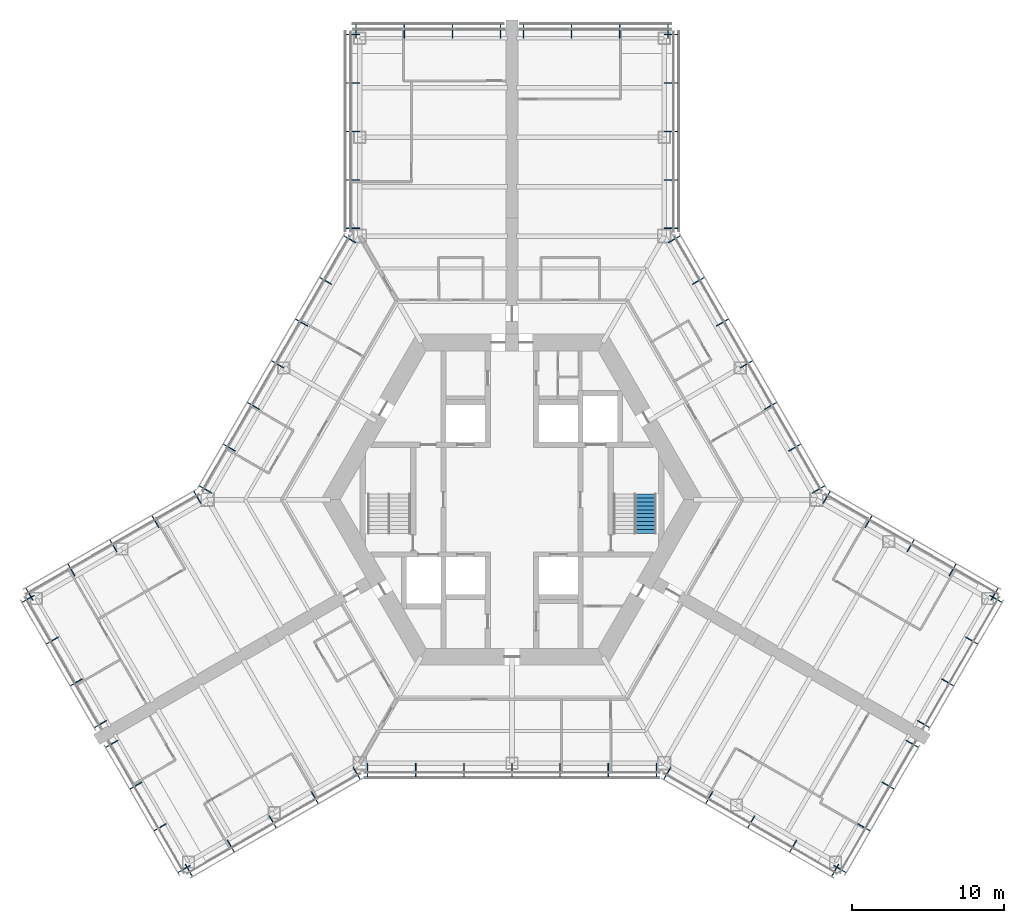
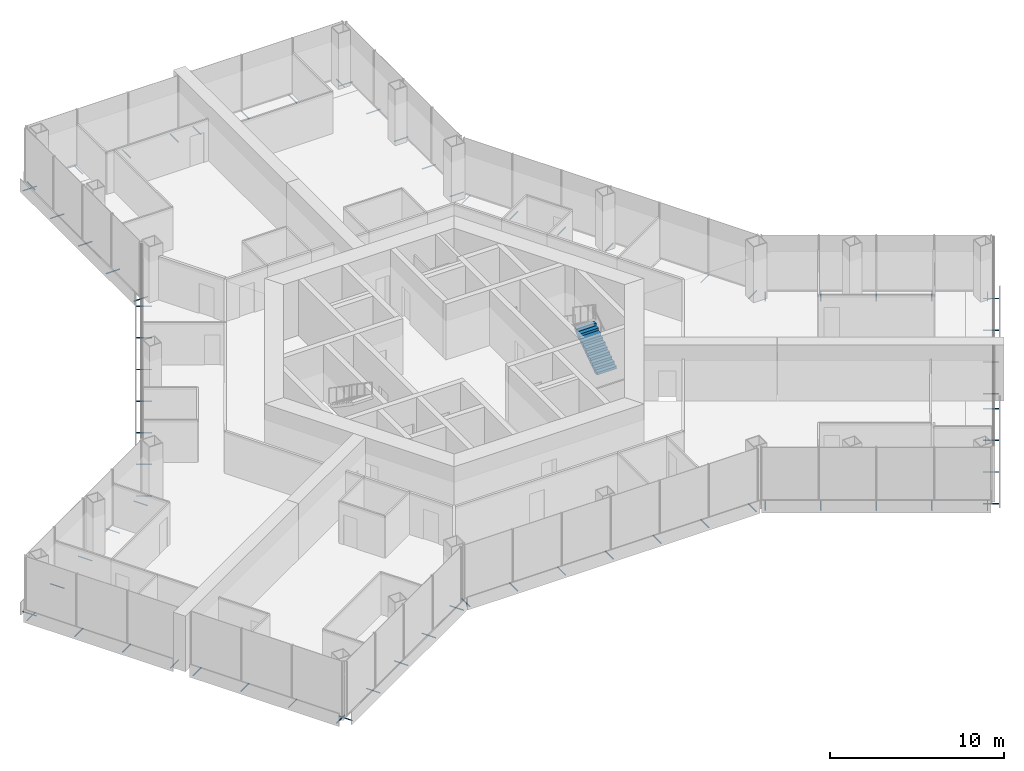
# One storey, part 16 of 18: 75 discrete accessories, 1 stair flight, 1 element without a shape of its own.
"""IFC4 building model written with IfcOpenShell, lengths in metres."""

from ifc_helpers import new_model, si_unit, direction, frame, origin, origin_2d, place, context, subcontext, project, spatial, polyline, hollow_circle, outline, extrude, material, material_profile, profile_set, type_object, element, aggregate, save


model = new_model("IFC4")

# Units and contexts
model_context = context("Model", 3, precision=1e-05, world=origin(), true_north=direction((0.0, 1.0)))
body_context = subcontext(model_context, "Body", "Model", "MODEL_VIEW")
ifc_project = project(units=[si_unit("LENGTHUNIT", "METRE"), si_unit("AREAUNIT", "SQUARE_METRE"), si_unit("VOLUMEUNIT", "CUBIC_METRE"), si_unit("PLANEANGLEUNIT", "RADIAN"), si_unit("MASSUNIT", "GRAM", prefix="KILO")], contexts=[model_context])

# Site, building, storey
site_placement = place(None, origin())
site = spatial("IfcSite", under=ifc_project, at=site_placement, CompositionType="ELEMENT")
building_placement = place(site_placement, origin())
building = spatial("IfcBuilding", under=site, at=building_placement, Name="Kasaneha Research Tower", CompositionType="ELEMENT")
storey_placement = place(building_placement, frame((0.0, 0.0, 108.0)))
storey = spatial("IfcBuildingStorey", under=building, at=storey_placement, Name="L27", CompositionType="ELEMENT", Elevation=108.0)

# Stair, stair flight
ifc_material_1 = material(Name="Concrete Fc24", Category="concrete")
stair_type = type_object("IfcStairType", Name="Half-turn stair 22 risers", PredefinedType="HALF_TURN_STAIR", material=ifc_material_1)
stair_placement = place(storey_placement, origin())
stair = element("IfcStair", 1, at=stair_placement, inside=storey, type_object=stair_type, Name="Stair 1 L27", PredefinedType="HALF_TURN_STAIR")
ifc_material_2 = material(Name="Concrete Fc24", Category="concrete")
stair_flight_type = type_object("IfcStairFlightType", Name="Stair flight 11 risers 177.3", PredefinedType="STRAIGHT", material=ifc_material_2)
stair_flight_placement = place(storey_placement, frame((8.824951171875, -2.22509765625, 0.0), z_axis=(0.0, 0.0, 1.0), x_axis=(0.0, 1.0, 0.0)))
stair_flight = element("IfcStairFlight", 2, at=stair_flight_placement, type_object=stair_flight_type, Name="ST1-22R flight 1", NumberOfRisers=11, NumberOfTreads=10, PredefinedType="STRAIGHT", RiserHeight=0.177272727, TreadLength=0.26, context=body_context, shape_type="SweptSolid", body=[
    extrude(outline(polyline([(0.0, 0.0), (0.0, 0.17724609375), (0.260009765625, 0.17724609375), (0.260009765625, 0.3544921875), (0.52001953125, 0.3544921875), (0.52001953125, 0.53173828125), (0.780029296875, 0.53173828125), (0.780029296875, 0.708984375), (1.0400390625, 0.708984375), (1.0400390625, 0.886474609375), (1.300048828125, 0.886474609375), (1.300048828125, 1.063720703125), (1.56005859375, 1.063720703125), (1.56005859375, 1.240966796875), (1.820068359375, 1.240966796875), (1.820068359375, 1.418212890625), (2.080078125, 1.418212890625), (2.080078125, 1.595458984375), (2.340087890625, 1.595458984375), (2.340087890625, 1.772705078125), (2.60009765625, 1.772705078125), (2.60009765625, 1.949951171875), (2.60009765625, 1.59130859375), (0.26611328125, 0.0), (0.0, 0.0)])), frame((0.0, 0.64990234375, 0.0), z_axis=(0.0, -1.0, 0.0), x_axis=(1.0, 0.0, 0.0)), (0.0, 0.0, 1.0), 1.300048828125),
])
aggregate(stair, [stair_flight])

# Discrete accessories
ifc_material_3 = material(Name="Steel STK400", Category="steel")
ifc_material_profile = material_profile(ifc_material_3, hollow_circle(Radius=0.0380859375, WallThickness=0.00390625, at=origin_2d()), Name="CHS-76.3x4.0")
ifc_profile_set = profile_set([ifc_material_profile], Name="Steel STK400")
discrete_accessory_type = type_object("IfcDiscreteAccessoryType", Name="Screen bracket CHS-76.3x4.0", PredefinedType="BRACKET", material=ifc_profile_set)
discrete_accessory_1_placement = place(storey_placement, frame((-21.474853515625, -23.945556640625, -0.300048828125), z_axis=(0.500021113727, -0.866013213425, 0.0), x_axis=(0.866013213425, 0.500021113727, 0.0)))
element("IfcDiscreteAccessory", 3, at=discrete_accessory_1_placement, inside=storey, type_object=discrete_accessory_type, Name="Screen bracket 1", PredefinedType="BRACKET", context=body_context, shape_type="SweptSolid", body=[
    extrude(hollow_circle(Radius=0.0380859375, WallThickness=0.00390625, at=origin_2d()), origin(), (0.0, 0.0, 1.0), 0.919921875),
])
discrete_accessory_2_placement = place(storey_placement, frame((-18.716796875, -22.35302734375, -0.300048828125), z_axis=(0.500105201737, -0.865964657013, 0.0), x_axis=(0.865964657013, 0.500105201737, 0.0)))
element("IfcDiscreteAccessory", 4, at=discrete_accessory_2_placement, inside=storey, type_object=discrete_accessory_type, Name="Screen bracket 2", PredefinedType="BRACKET", context=body_context, shape_type="SweptSolid", body=[
    extrude(hollow_circle(Radius=0.0380859375, WallThickness=0.00390625, at=origin_2d()), origin(), (0.0, 0.0, 1.0), 0.920166015625),
])
discrete_accessory_3_placement = place(storey_placement, frame((-15.95849609375, -20.7607421875, -0.300048828125), z_axis=(0.500021113727, -0.866013213425, 0.0), x_axis=(0.866013213425, 0.500021113727, 0.0)))
element("IfcDiscreteAccessory", 5, at=discrete_accessory_3_placement, inside=storey, type_object=discrete_accessory_type, Name="Screen bracket 3", PredefinedType="BRACKET", context=body_context, shape_type="SweptSolid", body=[
    extrude(hollow_circle(Radius=0.0380859375, WallThickness=0.00390625, at=origin_2d()), origin(), (0.0, 0.0, 1.0), 0.919921875),
])
discrete_accessory_4_placement = place(storey_placement, frame((-13.200439453125, -19.168212890625, -0.300048828125), z_axis=(0.499906209203, -0.866079547155, 0.0), x_axis=(0.866079547155, 0.499906209203, 0.0)))
element("IfcDiscreteAccessory", 6, at=discrete_accessory_4_placement, inside=storey, type_object=discrete_accessory_type, Name="Screen bracket 4", PredefinedType="BRACKET", context=body_context, shape_type="SweptSolid", body=[
    extrude(hollow_circle(Radius=0.0380859375, WallThickness=0.00390625, at=origin_2d()), origin(), (0.0, 0.0, 1.0), 0.920166015625),
])
for number, where, z_axis, x_axis, name in (
    (7, (-10.4423828125, -17.575927734375, -0.300048828125), (0.500021113727, -0.866013213425, 0.0), (0.866013213425, 0.500021113727, 0.0), "Screen bracket 5"),
    (8, (-9.4892578125, -17.320556640625, -0.300048828125), (0.0, -1.0, 0.0), (1.0, 0.0, 0.0), "Screen bracket 1"),
    (9, (-6.326171875, -17.320556640625, -0.300048828125), (0.0, -1.0, 0.0), (1.0, 0.0, 0.0), "Screen bracket 2"),
    (10, (-3.1630859375, -17.320556640625, -0.300048828125), (0.0, -1.0, 0.0), (1.0, 0.0, 0.0), "Screen bracket 3"),
    (11, (0.0, -17.320556640625, -0.300048828125), (0.0, -1.0, 0.0), (1.0, 0.0, 0.0), "Screen bracket 4"),
    (12, (3.1630859375, -17.320556640625, -0.300048828125), (0.0, -1.0, 0.0), (1.0, 0.0, 0.0), "Screen bracket 5"),
    (13, (6.326171875, -17.320556640625, -0.300048828125), (0.0, -1.0, 0.0), (1.0, 0.0, 0.0), "Screen bracket 6"),
    (14, (9.4892578125, -17.320556640625, -0.300048828125), (0.0, -1.0, 0.0), (1.0, 0.0, 0.0), "Screen bracket 7"),
    (15, (10.4423828125, -17.575927734375, -0.300048828125), (-0.500021113727, -0.866013213425, 0.0), (0.866013213425, -0.500021113727, 0.0), "Screen bracket 1"),
):
    element("IfcDiscreteAccessory", number, at=place(storey_placement, frame(where, z_axis=z_axis, x_axis=x_axis)), inside=storey, type_object=discrete_accessory_type, Name=name, PredefinedType="BRACKET", context=body_context, shape_type="SweptSolid", body=[
        extrude(hollow_circle(Radius=0.0380859375, WallThickness=0.00390625, at=origin_2d()), origin(), (0.0, 0.0, 1.0), 0.919921875),
    ])
discrete_accessory_5_placement = place(storey_placement, frame((13.200439453125, -19.168212890625, -0.300048828125), z_axis=(-0.499906209203, -0.866079547155, 0.0), x_axis=(0.866079547155, -0.499906209203, 0.0)))
element("IfcDiscreteAccessory", 16, at=discrete_accessory_5_placement, inside=storey, type_object=discrete_accessory_type, Name="Screen bracket 2", PredefinedType="BRACKET", context=body_context, shape_type="SweptSolid", body=[
    extrude(hollow_circle(Radius=0.0380859375, WallThickness=0.00390625, at=origin_2d()), origin(), (0.0, 0.0, 1.0), 0.920166015625),
])
discrete_accessory_6_placement = place(storey_placement, frame((15.95849609375, -20.7607421875, -0.300048828125), z_axis=(-0.500021113727, -0.866013213425, 0.0), x_axis=(0.866013213425, -0.500021113727, 0.0)))
element("IfcDiscreteAccessory", 17, at=discrete_accessory_6_placement, inside=storey, type_object=discrete_accessory_type, Name="Screen bracket 3", PredefinedType="BRACKET", context=body_context, shape_type="SweptSolid", body=[
    extrude(hollow_circle(Radius=0.0380859375, WallThickness=0.00390625, at=origin_2d()), origin(), (0.0, 0.0, 1.0), 0.919921875),
])
discrete_accessory_7_placement = place(storey_placement, frame((18.716796875, -22.35302734375, -0.300048828125), z_axis=(-0.500105201737, -0.865964657013, 0.0), x_axis=(0.865964657013, -0.500105201737, 0.0)))
element("IfcDiscreteAccessory", 18, at=discrete_accessory_7_placement, inside=storey, type_object=discrete_accessory_type, Name="Screen bracket 4", PredefinedType="BRACKET", context=body_context, shape_type="SweptSolid", body=[
    extrude(hollow_circle(Radius=0.0380859375, WallThickness=0.00390625, at=origin_2d()), origin(), (0.0, 0.0, 1.0), 0.920166015625),
])
discrete_accessory_8_placement = place(storey_placement, frame((21.474853515625, -23.945556640625, -0.300048828125), z_axis=(-0.500021113727, -0.866013213425, 0.0), x_axis=(0.866013213425, -0.500021113727, 0.0)))
element("IfcDiscreteAccessory", 19, at=discrete_accessory_8_placement, inside=storey, type_object=discrete_accessory_type, Name="Screen bracket 5", PredefinedType="BRACKET", context=body_context, shape_type="SweptSolid", body=[
    extrude(hollow_circle(Radius=0.0380859375, WallThickness=0.00390625, at=origin_2d()), origin(), (0.0, 0.0, 1.0), 0.919921875),
])
for number, where, z_axis, x_axis, name in (
    (20, (21.13330078125, -24.037109375, -0.300048828125), (0.866079547155, -0.499906209203, 0.0), (0.499906209203, 0.866079547155, 0.0), "Screen bracket 1"),
    (21, (22.716552734375, -21.294677734375, -0.300048828125), (0.866079547155, -0.499906209203, 0.0), (0.499906209203, 0.866079547155, 0.0), "Screen bracket 2"),
):
    element("IfcDiscreteAccessory", number, at=place(storey_placement, frame(where, z_axis=z_axis, x_axis=x_axis)), inside=storey, type_object=discrete_accessory_type, Name=name, PredefinedType="BRACKET", context=body_context, shape_type="SweptSolid", body=[
        extrude(hollow_circle(Radius=0.0380859375, WallThickness=0.00390625, at=origin_2d()), origin(), (0.0, 0.0, 1.0), 0.920166015625),
    ])
discrete_accessory_9_placement = place(storey_placement, frame((24.300048828125, -18.55224609375, -0.300048828125), z_axis=(0.866013213425, -0.500021113727, 0.0), x_axis=(0.500021113727, 0.866013213425, 0.0)))
element("IfcDiscreteAccessory", 22, at=discrete_accessory_9_placement, inside=storey, type_object=discrete_accessory_type, Name="Screen bracket 3", PredefinedType="BRACKET", context=body_context, shape_type="SweptSolid", body=[
    extrude(hollow_circle(Radius=0.0380859375, WallThickness=0.00390625, at=origin_2d()), origin(), (0.0, 0.0, 1.0), 0.919921875),
])
for number, where, z_axis, x_axis, name in (
    (23, (25.88330078125, -15.809814453125, -0.300048828125), (0.866079547155, -0.499906209203, 0.0), (0.499906209203, 0.866079547155, 0.0), "Screen bracket 4"),
    (24, (26.63330078125, -14.5107421875, -0.300048828125), (0.866079547155, -0.499906209203, 0.0), (0.499906209203, 0.866079547155, 0.0), "Screen bracket 1"),
    (25, (28.216552734375, -11.768310546875, -0.300048828125), (0.866079547155, -0.499906209203, 0.0), (0.499906209203, 0.866079547155, 0.0), "Screen bracket 2"),
):
    element("IfcDiscreteAccessory", number, at=place(storey_placement, frame(where, z_axis=z_axis, x_axis=x_axis)), inside=storey, type_object=discrete_accessory_type, Name=name, PredefinedType="BRACKET", context=body_context, shape_type="SweptSolid", body=[
        extrude(hollow_circle(Radius=0.0380859375, WallThickness=0.00390625, at=origin_2d()), origin(), (0.0, 0.0, 1.0), 0.920166015625),
    ])
discrete_accessory_10_placement = place(storey_placement, frame((29.800048828125, -9.02587890625, -0.300048828125), z_axis=(0.866013213425, -0.500021113727, 0.0), x_axis=(0.500021113727, 0.866013213425, 0.0)))
element("IfcDiscreteAccessory", 26, at=discrete_accessory_10_placement, inside=storey, type_object=discrete_accessory_type, Name="Screen bracket 3", PredefinedType="BRACKET", context=body_context, shape_type="SweptSolid", body=[
    extrude(hollow_circle(Radius=0.0380859375, WallThickness=0.00390625, at=origin_2d()), origin(), (0.0, 0.0, 1.0), 0.919921875),
])
discrete_accessory_11_placement = place(storey_placement, frame((31.38330078125, -6.283447265625, -0.300048828125), z_axis=(0.866079547155, -0.499906209203, 0.0), x_axis=(0.499906209203, 0.866079547155, 0.0)))
element("IfcDiscreteAccessory", 27, at=discrete_accessory_11_placement, inside=storey, type_object=discrete_accessory_type, Name="Screen bracket 4", PredefinedType="BRACKET", context=body_context, shape_type="SweptSolid", body=[
    extrude(hollow_circle(Radius=0.0380859375, WallThickness=0.00390625, at=origin_2d()), origin(), (0.0, 0.0, 1.0), 0.920166015625),
])
discrete_accessory_12_placement = place(storey_placement, frame((31.474853515625, -6.625, -0.300048828125), z_axis=(0.500021113727, 0.866013213425, 0.0), x_axis=(-0.866013213425, 0.500021113727, 0.0)))
element("IfcDiscreteAccessory", 28, at=discrete_accessory_12_placement, inside=storey, type_object=discrete_accessory_type, Name="Screen bracket 1", PredefinedType="BRACKET", context=body_context, shape_type="SweptSolid", body=[
    extrude(hollow_circle(Radius=0.0380859375, WallThickness=0.00390625, at=origin_2d()), origin(), (0.0, 0.0, 1.0), 0.919921875),
])
discrete_accessory_13_placement = place(storey_placement, frame((28.716796875, -5.03271484375, -0.300048828125), z_axis=(0.499906209203, 0.866079547155, 0.0), x_axis=(-0.866079547155, 0.499906209203, 0.0)))
element("IfcDiscreteAccessory", 29, at=discrete_accessory_13_placement, inside=storey, type_object=discrete_accessory_type, Name="Screen bracket 2", PredefinedType="BRACKET", context=body_context, shape_type="SweptSolid", body=[
    extrude(hollow_circle(Radius=0.0380859375, WallThickness=0.00390625, at=origin_2d()), origin(), (0.0, 0.0, 1.0), 0.920166015625),
])
discrete_accessory_14_placement = place(storey_placement, frame((25.95849609375, -3.440185546875, -0.300048828125), z_axis=(0.500220121494, 0.865898279276, 0.0), x_axis=(-0.865898279276, 0.500220121494, 0.0)))
element("IfcDiscreteAccessory", 30, at=discrete_accessory_14_placement, inside=storey, type_object=discrete_accessory_type, Name="Screen bracket 3", PredefinedType="BRACKET", context=body_context, shape_type="SweptSolid", body=[
    extrude(hollow_circle(Radius=0.0380859375, WallThickness=0.00390625, at=origin_2d()), origin(), (0.0, 0.0, 1.0), 0.919921875),
])
discrete_accessory_15_placement = place(storey_placement, frame((23.200439453125, -1.847900390625, -0.300048828125), z_axis=(0.499906209203, 0.866079547155, 0.0), x_axis=(-0.866079547155, 0.499906209203, 0.0)))
element("IfcDiscreteAccessory", 31, at=discrete_accessory_15_placement, inside=storey, type_object=discrete_accessory_type, Name="Screen bracket 4", PredefinedType="BRACKET", context=body_context, shape_type="SweptSolid", body=[
    extrude(hollow_circle(Radius=0.0380859375, WallThickness=0.00390625, at=origin_2d()), origin(), (0.0, 0.0, 1.0), 0.920166015625),
])
for number, where, z_axis, x_axis, name in (
    (32, (20.4423828125, -0.25537109375, -0.300048828125), (0.500021113727, 0.866013213425, 0.0), (-0.866013213425, 0.500021113727, 0.0), "Screen bracket 5"),
    (33, (19.74462890625, 0.4423828125, -0.300048828125), (0.866013213425, 0.500021113727, 0.0), (-0.500021113727, 0.866013213425, 0.0), "Screen bracket 1"),
    (34, (18.1630859375, 3.181640625, -0.300048828125), (0.866013213425, 0.500021113727, 0.0), (-0.500021113727, 0.866013213425, 0.0), "Screen bracket 2"),
    (35, (16.58154296875, 5.9208984375, -0.300048828125), (0.866013213425, 0.500021113727, 0.0), (-0.500021113727, 0.866013213425, 0.0), "Screen bracket 3"),
    (36, (15.0, 8.66015625, -0.300048828125), (0.865898279276, 0.500220121494, 0.0), (-0.500220121494, 0.865898279276, 0.0), "Screen bracket 4"),
    (37, (13.41845703125, 11.399658203125, -0.300048828125), (0.866013213425, 0.500021113727, 0.0), (-0.500021113727, 0.866013213425, 0.0), "Screen bracket 5"),
    (38, (11.8369140625, 14.138916015625, -0.300048828125), (0.866013213425, 0.500021113727, 0.0), (-0.500021113727, 0.866013213425, 0.0), "Screen bracket 6"),
):
    element("IfcDiscreteAccessory", number, at=place(storey_placement, frame(where, z_axis=z_axis, x_axis=x_axis)), inside=storey, type_object=discrete_accessory_type, Name=name, PredefinedType="BRACKET", context=body_context, shape_type="SweptSolid", body=[
        extrude(hollow_circle(Radius=0.0380859375, WallThickness=0.00390625, at=origin_2d()), origin(), (0.0, 0.0, 1.0), 0.919921875),
    ])
discrete_accessory_16_placement = place(storey_placement, frame((10.25537109375, 16.878173828125, -0.300048828125), z_axis=(0.866079547155, 0.499906209203, 0.0), x_axis=(-0.499906209203, 0.866079547155, 0.0)))
element("IfcDiscreteAccessory", 39, at=discrete_accessory_16_placement, inside=storey, type_object=discrete_accessory_type, Name="Screen bracket 7", PredefinedType="BRACKET", context=body_context, shape_type="SweptSolid", body=[
    extrude(hollow_circle(Radius=0.0380859375, WallThickness=0.00390625, at=origin_2d()), origin(), (0.0, 0.0, 1.0), 0.920166015625),
])
for number, where, z_axis, x_axis, name in (
    (40, (10.0, 17.831298828125, -0.300048828125), (1.0, 0.0, 0.0), (0.0, 1.0, 0.0), "Screen bracket 1"),
    (41, (10.0, 21.01611328125, -0.300048828125), (1.0, 0.0, 0.0), (0.0, 1.0, 0.0), "Screen bracket 2"),
    (42, (10.0, 24.200927734375, -0.300048828125), (1.0, 0.0, 0.0), (0.0, 1.0, 0.0), "Screen bracket 3"),
    (43, (10.0, 27.3857421875, -0.300048828125), (1.0, 0.0, 0.0), (0.0, 1.0, 0.0), "Screen bracket 4"),
    (44, (10.0, 30.570556640625, -0.300048828125), (1.0, 0.0, 0.0), (0.0, 1.0, 0.0), "Screen bracket 5"),
    (45, (10.25, 30.320556640625, -0.300048828125), (0.0, 1.0, 0.0), (-1.0, 0.0, 0.0), "Screen bracket 1"),
    (46, (7.083251953125, 30.320556640625, -0.300048828125), (0.0, 1.0, 0.0), (-1.0, 0.0, 0.0), "Screen bracket 2"),
    (47, (3.916748046875, 30.320556640625, -0.300048828125), (0.0, 1.0, 0.0), (-1.0, 0.0, 0.0), "Screen bracket 3"),
    (48, (0.75, 30.320556640625, -0.300048828125), (0.0, 1.0, 0.0), (-1.0, 0.0, 0.0), "Screen bracket 4"),
    (49, (-0.75, 30.320556640625, -0.300048828125), (0.0, 1.0, 0.0), (-1.0, 0.0, 0.0), "Screen bracket 1"),
    (50, (-3.916748046875, 30.320556640625, -0.300048828125), (0.0, 1.0, 0.0), (-1.0, 0.0, 0.0), "Screen bracket 2"),
    (51, (-7.083251953125, 30.320556640625, -0.300048828125), (0.0, 1.0, 0.0), (-1.0, 0.0, 0.0), "Screen bracket 3"),
    (52, (-10.25, 30.320556640625, -0.300048828125), (0.0, 1.0, 0.0), (-1.0, 0.0, 0.0), "Screen bracket 4"),
    (53, (-10.0, 30.570556640625, -0.300048828125), (-1.0, 0.0, 0.0), (0.0, -1.0, 0.0), "Screen bracket 1"),
    (54, (-10.0, 27.3857421875, -0.300048828125), (-1.0, 0.0, 0.0), (0.0, -1.0, 0.0), "Screen bracket 2"),
    (55, (-10.0, 24.200927734375, -0.300048828125), (-1.0, 0.0, 0.0), (0.0, -1.0, 0.0), "Screen bracket 3"),
    (56, (-10.0, 21.01611328125, -0.300048828125), (-1.0, 0.0, 0.0), (0.0, -1.0, 0.0), "Screen bracket 4"),
    (57, (-10.0, 17.831298828125, -0.300048828125), (-1.0, 0.0, 0.0), (0.0, -1.0, 0.0), "Screen bracket 5"),
):
    element("IfcDiscreteAccessory", number, at=place(storey_placement, frame(where, z_axis=z_axis, x_axis=x_axis)), inside=storey, type_object=discrete_accessory_type, Name=name, PredefinedType="BRACKET", context=body_context, shape_type="SweptSolid", body=[
        extrude(hollow_circle(Radius=0.0380859375, WallThickness=0.00390625, at=origin_2d()), origin(), (0.0, 0.0, 1.0), 0.919921875),
    ])
discrete_accessory_17_placement = place(storey_placement, frame((-10.25537109375, 16.878173828125, -0.300048828125), z_axis=(-0.866079547155, 0.499906209203, 0.0), x_axis=(-0.499906209203, -0.866079547155, 0.0)))
element("IfcDiscreteAccessory", 58, at=discrete_accessory_17_placement, inside=storey, type_object=discrete_accessory_type, Name="Screen bracket 1", PredefinedType="BRACKET", context=body_context, shape_type="SweptSolid", body=[
    extrude(hollow_circle(Radius=0.0380859375, WallThickness=0.00390625, at=origin_2d()), origin(), (0.0, 0.0, 1.0), 0.920166015625),
])
for number, where, z_axis, x_axis, name in (
    (59, (-11.8369140625, 14.138916015625, -0.300048828125), (-0.866013213425, 0.500021113727, 0.0), (-0.500021113727, -0.866013213425, 0.0), "Screen bracket 2"),
    (60, (-13.41845703125, 11.399658203125, -0.300048828125), (-0.866013213425, 0.500021113727, 0.0), (-0.500021113727, -0.866013213425, 0.0), "Screen bracket 3"),
    (61, (-15.0, 8.66015625, -0.300048828125), (-0.865898279276, 0.500220121494, 0.0), (-0.500220121494, -0.865898279276, 0.0), "Screen bracket 4"),
    (62, (-16.58154296875, 5.9208984375, -0.300048828125), (-0.866013213425, 0.500021113727, 0.0), (-0.500021113727, -0.866013213425, 0.0), "Screen bracket 5"),
    (63, (-18.1630859375, 3.181640625, -0.300048828125), (-0.866013213425, 0.500021113727, 0.0), (-0.500021113727, -0.866013213425, 0.0), "Screen bracket 6"),
    (64, (-19.74462890625, 0.4423828125, -0.300048828125), (-0.866013213425, 0.500021113727, 0.0), (-0.500021113727, -0.866013213425, 0.0), "Screen bracket 7"),
    (65, (-20.4423828125, -0.25537109375, -0.300048828125), (-0.500021113727, 0.866013213425, 0.0), (-0.866013213425, -0.500021113727, 0.0), "Screen bracket 1"),
):
    element("IfcDiscreteAccessory", number, at=place(storey_placement, frame(where, z_axis=z_axis, x_axis=x_axis)), inside=storey, type_object=discrete_accessory_type, Name=name, PredefinedType="BRACKET", context=body_context, shape_type="SweptSolid", body=[
        extrude(hollow_circle(Radius=0.0380859375, WallThickness=0.00390625, at=origin_2d()), origin(), (0.0, 0.0, 1.0), 0.919921875),
    ])
discrete_accessory_18_placement = place(storey_placement, frame((-23.200439453125, -1.847900390625, -0.300048828125), z_axis=(-0.499906209203, 0.866079547155, 0.0), x_axis=(-0.866079547155, -0.499906209203, 0.0)))
element("IfcDiscreteAccessory", 66, at=discrete_accessory_18_placement, inside=storey, type_object=discrete_accessory_type, Name="Screen bracket 2", PredefinedType="BRACKET", context=body_context, shape_type="SweptSolid", body=[
    extrude(hollow_circle(Radius=0.0380859375, WallThickness=0.00390625, at=origin_2d()), origin(), (0.0, 0.0, 1.0), 0.920166015625),
])
discrete_accessory_19_placement = place(storey_placement, frame((-25.95849609375, -3.440185546875, -0.300048828125), z_axis=(-0.500220121494, 0.865898279276, 0.0), x_axis=(-0.865898279276, -0.500220121494, 0.0)))
element("IfcDiscreteAccessory", 67, at=discrete_accessory_19_placement, inside=storey, type_object=discrete_accessory_type, Name="Screen bracket 3", PredefinedType="BRACKET", context=body_context, shape_type="SweptSolid", body=[
    extrude(hollow_circle(Radius=0.0380859375, WallThickness=0.00390625, at=origin_2d()), origin(), (0.0, 0.0, 1.0), 0.919921875),
])
discrete_accessory_20_placement = place(storey_placement, frame((-28.716796875, -5.03271484375, -0.300048828125), z_axis=(-0.499906209203, 0.866079547155, 0.0), x_axis=(-0.866079547155, -0.499906209203, 0.0)))
element("IfcDiscreteAccessory", 68, at=discrete_accessory_20_placement, inside=storey, type_object=discrete_accessory_type, Name="Screen bracket 4", PredefinedType="BRACKET", context=body_context, shape_type="SweptSolid", body=[
    extrude(hollow_circle(Radius=0.0380859375, WallThickness=0.00390625, at=origin_2d()), origin(), (0.0, 0.0, 1.0), 0.920166015625),
])
discrete_accessory_21_placement = place(storey_placement, frame((-31.474853515625, -6.625, -0.300048828125), z_axis=(-0.500021113727, 0.866013213425, 0.0), x_axis=(-0.866013213425, -0.500021113727, 0.0)))
element("IfcDiscreteAccessory", 69, at=discrete_accessory_21_placement, inside=storey, type_object=discrete_accessory_type, Name="Screen bracket 5", PredefinedType="BRACKET", context=body_context, shape_type="SweptSolid", body=[
    extrude(hollow_circle(Radius=0.0380859375, WallThickness=0.00390625, at=origin_2d()), origin(), (0.0, 0.0, 1.0), 0.919921875),
])
discrete_accessory_22_placement = place(storey_placement, frame((-31.38330078125, -6.283447265625, -0.300048828125), z_axis=(-0.866079547155, -0.499906209203, 0.0), x_axis=(0.499906209203, -0.866079547155, 0.0)))
element("IfcDiscreteAccessory", 70, at=discrete_accessory_22_placement, inside=storey, type_object=discrete_accessory_type, Name="Screen bracket 1", PredefinedType="BRACKET", context=body_context, shape_type="SweptSolid", body=[
    extrude(hollow_circle(Radius=0.0380859375, WallThickness=0.00390625, at=origin_2d()), origin(), (0.0, 0.0, 1.0), 0.920166015625),
])
discrete_accessory_23_placement = place(storey_placement, frame((-29.800048828125, -9.02587890625, -0.300048828125), z_axis=(-0.866013213425, -0.500021113727, 0.0), x_axis=(0.500021113727, -0.866013213425, 0.0)))
element("IfcDiscreteAccessory", 71, at=discrete_accessory_23_placement, inside=storey, type_object=discrete_accessory_type, Name="Screen bracket 2", PredefinedType="BRACKET", context=body_context, shape_type="SweptSolid", body=[
    extrude(hollow_circle(Radius=0.0380859375, WallThickness=0.00390625, at=origin_2d()), origin(), (0.0, 0.0, 1.0), 0.919921875),
])
for number, where, z_axis, x_axis, name in (
    (72, (-28.216552734375, -11.768310546875, -0.300048828125), (-0.866079547155, -0.499906209203, 0.0), (0.499906209203, -0.866079547155, 0.0), "Screen bracket 3"),
    (73, (-26.63330078125, -14.5107421875, -0.300048828125), (-0.866079547155, -0.499906209203, 0.0), (0.499906209203, -0.866079547155, 0.0), "Screen bracket 4"),
    (74, (-25.88330078125, -15.809814453125, -0.300048828125), (-0.866079547155, -0.499906209203, 0.0), (0.499906209203, -0.866079547155, 0.0), "Screen bracket 1"),
):
    element("IfcDiscreteAccessory", number, at=place(storey_placement, frame(where, z_axis=z_axis, x_axis=x_axis)), inside=storey, type_object=discrete_accessory_type, Name=name, PredefinedType="BRACKET", context=body_context, shape_type="SweptSolid", body=[
        extrude(hollow_circle(Radius=0.0380859375, WallThickness=0.00390625, at=origin_2d()), origin(), (0.0, 0.0, 1.0), 0.920166015625),
    ])
discrete_accessory_24_placement = place(storey_placement, frame((-24.300048828125, -18.55224609375, -0.300048828125), z_axis=(-0.866013213425, -0.500021113727, 0.0), x_axis=(0.500021113727, -0.866013213425, 0.0)))
element("IfcDiscreteAccessory", 75, at=discrete_accessory_24_placement, inside=storey, type_object=discrete_accessory_type, Name="Screen bracket 2", PredefinedType="BRACKET", context=body_context, shape_type="SweptSolid", body=[
    extrude(hollow_circle(Radius=0.0380859375, WallThickness=0.00390625, at=origin_2d()), origin(), (0.0, 0.0, 1.0), 0.919921875),
])
for number, where, z_axis, x_axis, name in (
    (76, (-22.716552734375, -21.294677734375, -0.300048828125), (-0.866079547155, -0.499906209203, 0.0), (0.499906209203, -0.866079547155, 0.0), "Screen bracket 3"),
    (77, (-21.13330078125, -24.037109375, -0.300048828125), (-0.866079547155, -0.499906209203, 0.0), (0.499906209203, -0.866079547155, 0.0), "Screen bracket 4"),
):
    element("IfcDiscreteAccessory", number, at=place(storey_placement, frame(where, z_axis=z_axis, x_axis=x_axis)), inside=storey, type_object=discrete_accessory_type, Name=name, PredefinedType="BRACKET", context=body_context, shape_type="SweptSolid", body=[
        extrude(hollow_circle(Radius=0.0380859375, WallThickness=0.00390625, at=origin_2d()), origin(), (0.0, 0.0, 1.0), 0.920166015625),
    ])

save(model, "model.ifc")
